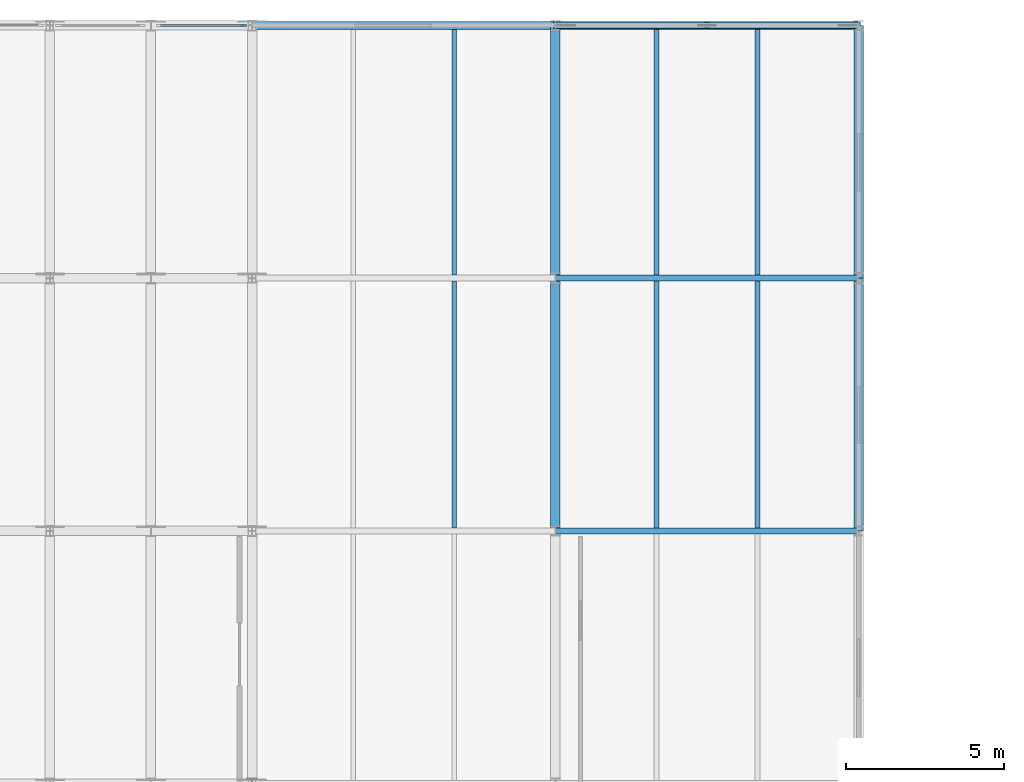
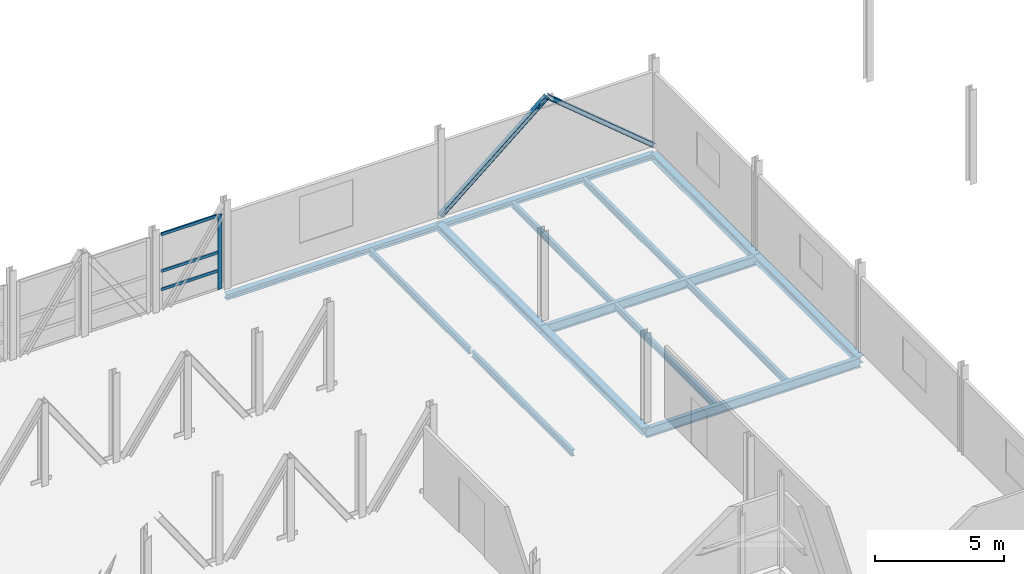
# One storey, part 43 of 73: 14 beams, 6 members, 1 element without a shape of its own.
"""IFC4 building model written with IfcOpenShell, lengths in metres."""

from ifc_helpers import new_model, si_unit, direction, frame, origin, origin_2d, place, context, subcontext, project, spatial, rectangle, i_section, extrude, material, layer, layer_set, material_profile, profile_set, type_object, element, aggregate, save


model = new_model("IFC4")

# Units and contexts
model_context = context("Model", 3, precision=1e-05, world=origin(), true_north=direction((0.0, 1.0)))
body_context = subcontext(model_context, "Body", "Model", "MODEL_VIEW")
ifc_project = project(units=[si_unit("LENGTHUNIT", "METRE"), si_unit("AREAUNIT", "SQUARE_METRE"), si_unit("VOLUMEUNIT", "CUBIC_METRE"), si_unit("PLANEANGLEUNIT", "RADIAN"), si_unit("MASSUNIT", "GRAM", prefix="KILO")], contexts=[model_context])

# Site, building, storey
site_placement = place(None, origin())
site = spatial("IfcSite", under=ifc_project, at=site_placement, CompositionType="ELEMENT")
building_placement = place(site_placement, origin())
building = spatial("IfcBuilding", under=site, at=building_placement, Name="Alderhovde Museum", CompositionType="ELEMENT")
storey_placement = place(building_placement, frame((0.0, 0.0, 12.89990234375)))
storey = spatial("IfcBuildingStorey", under=building, at=storey_placement, Name="L03", CompositionType="ELEMENT", Elevation=12.89990234375)

# Beams
ifc_material_1 = material(Name="Steel S355J2", Category="steel")
ifc_material_profile_1 = material_profile(ifc_material_1, i_section(OverallWidth=0.300048828125, OverallDepth=0.330078125, WebThickness=0.009521484375, FlangeThickness=0.0166015625, FilletRadius=0.027099609375, at=origin_2d()), Name="HEA 340")
ifc_profile_set_1 = profile_set([ifc_material_profile_1], Name="Steel S355J2")
beam_type_1 = type_object("IfcBeamType", Name="BM-HEA340", PredefinedType="BEAM", material=ifc_profile_set_1)
for number, where, z_axis, x_axis, name in (
    (1, (38.39990234375, 96.0, -0.48486328125), (0.0, 1.0, 0.0), (-1.0, 0.0, 0.0), "L03 Grid Beam X=38.4 (96.0 TO 104.0)"),
    (2, (38.39990234375, 104.0, -0.48486328125), (0.0, 1.0, 0.0), (-1.0, 0.0, 0.0), "L03 Grid Beam X=38.4 (104.0 TO 112.0)"),
    (3, (48.0, 96.0, -0.48486328125), (0.0, 1.0, 0.0), (-1.0, 0.0, 0.0), "L03 Grid Beam X=48.0 (96.0 TO 104.0)"),
    (4, (48.0, 104.0, -0.48486328125), (0.0, 1.0, 0.0), (-1.0, 0.0, 0.0), "L03 Grid Beam X=48.0 (104.0 TO 112.0)"),
):
    element("IfcBeam", number, at=place(storey_placement, frame(where, z_axis=z_axis, x_axis=x_axis)), inside=storey, type_object=beam_type_1, Name=name, PredefinedType="BEAM", context=body_context, shape_type="SweptSolid", body=[
        extrude(i_section(OverallWidth=0.300048828125, OverallDepth=0.330078125, WebThickness=0.009521484375, FlangeThickness=0.0166015625, FilletRadius=0.027099609375, at=origin_2d()), origin(), (0.0, 0.0, 1.0), 8.0),
    ])
ifc_material_2 = material(Name="Steel S355J2", Category="steel")
ifc_material_profile_2 = material_profile(ifc_material_2, i_section(OverallWidth=0.18994140625, OverallDepth=0.449951171875, WebThickness=0.009521484375, FlangeThickness=0.0146484375, FilletRadius=0.02099609375, at=origin_2d()), Name="IPE 450")
ifc_profile_set_2 = profile_set([ifc_material_profile_2], Name="Steel S355J2")
beam_type_2 = type_object("IfcBeamType", Name="BM-IPE450", PredefinedType="BEAM", material=ifc_profile_set_2)
for number, where, z_axis, x_axis, name in (
    (5, (38.39990234375, 96.0, -0.544921875), (1.0, 0.0, 0.0), (0.0, 1.0, 0.0), "L03 Grid Beam Y=96.0 (38.4 TO 48.0)"),
    (6, (38.39990234375, 104.0, -0.544921875), (1.0, 0.0, 0.0), (0.0, 1.0, 0.0), "L03 Grid Beam Y=104.0 (38.4 TO 48.0)"),
):
    element("IfcBeam", number, at=place(storey_placement, frame(where, z_axis=z_axis, x_axis=x_axis)), inside=storey, type_object=beam_type_2, Name=name, PredefinedType="BEAM", context=body_context, shape_type="SweptSolid", body=[
        extrude(i_section(OverallWidth=0.18994140625, OverallDepth=0.449951171875, WebThickness=0.009521484375, FlangeThickness=0.0146484375, FilletRadius=0.02099609375, at=origin_2d()), origin(), (0.0, 0.0, 1.0), 9.60009765625),
    ])

# Members
ifc_material_3 = material(Name="Steel S355J2", Category="steel")
ifc_material_profile_3 = material_profile(ifc_material_3, i_section(OverallWidth=0.199951171875, OverallDepth=0.18994140625, WebThickness=0.006591796875, FlangeThickness=0.010009765625, FilletRadius=0.01806640625, at=origin_2d()), Name="HEA 200")
ifc_profile_set_3 = profile_set([ifc_material_profile_3], Name="Steel S355J2")
member_type_1 = type_object("IfcMemberType", Name="BR-HEA200", PredefinedType="BRACE", material=ifc_profile_set_3)
for number, where, z_axis, x_axis, name in (
    (7, (38.39990234375, 112.0, 0.0), (0.768224482335, 0.0, 0.640180556359), (0.0, 1.0, 0.0), "L03 Chevron Brace BR-V4-N-L"),
    (8, (48.0, 112.0, 0.0), (-0.768224482335, 0.0, 0.640180556359), (0.0, -1.0, 0.0), "L03 Chevron Brace BR-V4-N-R"),
):
    element("IfcMember", number, at=place(storey_placement, frame(where, z_axis=z_axis, x_axis=x_axis)), inside=storey, type_object=member_type_1, Name=name, PredefinedType="BRACE", context=body_context, shape_type="SweptSolid", body=[
        extrude(i_section(OverallWidth=0.199951171875, OverallDepth=0.18994140625, WebThickness=0.006591796875, FlangeThickness=0.010009765625, FilletRadius=0.01806640625, at=origin_2d()), origin(), (0.0, 0.0, 1.0), 6.248291015625),
    ])

# Curtain wall, members
ifc_material_4 = material(Name="Triple-Glazed Bronze-Anodised Curtain Wall", Category="glass")
ifc_layer = layer(ifc_material_4, 0.179931640625)
ifc_layer_set = layer_set([ifc_layer], Name="Triple-Glazed Bronze-Anodised Curtain Wall")
curtain_wall_type = type_object("IfcCurtainWallType", Name="CW-UNIT-272x354", PredefinedType="USERDEFINED", material=ifc_layer_set)
curtain_wall_placement = place(storey_placement, origin())
curtain_wall = element("IfcCurtainWall", 9, at=curtain_wall_placement, inside=storey, type_object=curtain_wall_type, Name="L03 Unitised Curtain Wall 110", ObjectType="UNITISED CURTAIN WALL", PredefinedType="USERDEFINED")
ifc_material_5 = material(Name="Bronze-Anodised Aluminium EN AW-6063-T6", Category="aluminium")
ifc_material_profile_4 = material_profile(ifc_material_5, rectangle(XDim=0.06494140625, YDim=0.179931640625, at=origin_2d()), Name="MULLION 65x180")
ifc_profile_set_4 = profile_set([ifc_material_profile_4], Name="Bronze-Anodised Aluminium EN AW-6063-T6")
member_type_2 = type_object("IfcMemberType", Name="CWM-65x180", PredefinedType="MULLION", material=ifc_profile_set_4)
member_1_placement = place(storey_placement, frame((28.527587890625, 112.0, 0.0), z_axis=(0.0, 0.0, 1.0), x_axis=(0.0, 1.0, 0.0)))
member_1 = element("IfcMember", 10, at=member_1_placement, type_object=member_type_2, Name="CW26 mullion 2", PredefinedType="MULLION", context=body_context, shape_type="SweptSolid", body=[
    extrude(rectangle(XDim=0.06494140625, YDim=0.179931640625, at=origin_2d()), origin(), (0.0, 0.0, 1.0), 3.5400390625),
])
ifc_material_6 = material(Name="Bronze-Anodised Aluminium EN AW-6063-T6", Category="aluminium")
ifc_material_profile_5 = material_profile(ifc_material_6, rectangle(XDim=0.06494140625, YDim=0.139892578125, at=origin_2d()), Name="TRANSOM 65x140")
ifc_profile_set_5 = profile_set([ifc_material_profile_5], Name="Bronze-Anodised Aluminium EN AW-6063-T6")
member_type_3 = type_object("IfcMemberType", Name="CWT-65x140", PredefinedType="USERDEFINED", material=ifc_profile_set_5)
member_2_placement = place(storey_placement, frame((25.905029296875, 112.0, 0.900146484375), z_axis=(1.0, 0.0, 0.0), x_axis=(0.0, 1.0, 0.0)))
member_2 = element("IfcMember", 11, at=member_2_placement, type_object=member_type_3, Name="CW26 transom 1.2", ObjectType="TRANSOM", PredefinedType="USERDEFINED", context=body_context, shape_type="SweptSolid", body=[
    extrude(rectangle(XDim=0.06494140625, YDim=0.139892578125, at=origin_2d()), origin(), (0.0, 0.0, 1.0), 2.590087890625),
])
member_3_placement = place(storey_placement, frame((25.905029296875, 112.0, 1.77001953125), z_axis=(1.0, 0.0, 0.0), x_axis=(0.0, 1.0, 0.0)))
member_3 = element("IfcMember", 12, at=member_3_placement, type_object=member_type_3, Name="CW26 transom 1.3", ObjectType="TRANSOM", PredefinedType="USERDEFINED", context=body_context, shape_type="SweptSolid", body=[
    extrude(rectangle(XDim=0.06494140625, YDim=0.139892578125, at=origin_2d()), origin(), (0.0, 0.0, 1.0), 2.590087890625),
])
member_4_placement = place(storey_placement, frame((25.905029296875, 112.0, 3.507568359375), z_axis=(1.0, 0.0, 0.0), x_axis=(0.0, 1.0, 0.0)))
member_4 = element("IfcMember", 13, at=member_4_placement, type_object=member_type_3, Name="CW26 transom 1.4", ObjectType="TRANSOM", PredefinedType="USERDEFINED", context=body_context, shape_type="SweptSolid", body=[
    extrude(rectangle(XDim=0.06494140625, YDim=0.139892578125, at=origin_2d()), origin(), (0.0, 0.0, 1.0), 2.590087890625),
])
aggregate(curtain_wall, [member_1, member_2, member_3, member_4])

# Beams
ifc_material_7 = material(Name="Steel S355J2", Category="steel")
ifc_material_profile_6 = material_profile(ifc_material_7, i_section(OverallWidth=0.14990234375, OverallDepth=0.300048828125, WebThickness=0.007080078125, FlangeThickness=0.0107421875, FilletRadius=0.014892578125, at=origin_2d()), Name="IPE 300")
ifc_profile_set_6 = profile_set([ifc_material_profile_6], Name="Steel S355J2")
beam_type_3 = type_object("IfcBeamType", Name="JST-IPE300", PredefinedType="JOIST", material=ifc_profile_set_6)
beam_1_placement = place(storey_placement, frame((35.199951171875, 96.094970703125, -0.469970703125), z_axis=(0.0, 1.0, 0.0), x_axis=(-1.0, 0.0, 0.0)))
element("IfcBeam", 14, at=beam_1_placement, inside=storey, type_object=beam_type_3, Name="L03 Composite Joist X=35.2 (96.0 TO 104.0)", PredefinedType="JOIST", context=body_context, shape_type="SweptSolid", body=[
    extrude(i_section(OverallWidth=0.14990234375, OverallDepth=0.300048828125, WebThickness=0.007080078125, FlangeThickness=0.0107421875, FilletRadius=0.014892578125, at=origin_2d()), origin(), (0.0, 0.0, 1.0), 7.81005859375),
])
beam_2_placement = place(storey_placement, frame((35.199951171875, 104.094970703125, -0.469970703125), z_axis=(0.0, 1.0, 0.0), x_axis=(-1.0, 0.0, 0.0)))
element("IfcBeam", 15, at=beam_2_placement, inside=storey, type_object=beam_type_3, Name="L03 Composite Joist X=35.2 (104.0 TO 112.0)", PredefinedType="JOIST", context=body_context, shape_type="SweptSolid", body=[
    extrude(i_section(OverallWidth=0.14990234375, OverallDepth=0.300048828125, WebThickness=0.007080078125, FlangeThickness=0.0107421875, FilletRadius=0.014892578125, at=origin_2d()), origin(), (0.0, 0.0, 1.0), 7.775146484375),
])
for number, where, z_axis, x_axis, name in (
    (16, (41.60009765625, 96.094970703125, -0.469970703125), (0.0, 1.0, 0.0), (-1.0, 0.0, 0.0), "L03 Composite Joist X=41.6 (96.0 TO 104.0)"),
    (17, (44.800048828125, 96.094970703125, -0.469970703125), (0.0, 1.0, 0.0), (-1.0, 0.0, 0.0), "L03 Composite Joist X=44.8 (96.0 TO 104.0)"),
):
    element("IfcBeam", number, at=place(storey_placement, frame(where, z_axis=z_axis, x_axis=x_axis)), inside=storey, type_object=beam_type_3, Name=name, PredefinedType="JOIST", context=body_context, shape_type="SweptSolid", body=[
        extrude(i_section(OverallWidth=0.14990234375, OverallDepth=0.300048828125, WebThickness=0.007080078125, FlangeThickness=0.0107421875, FilletRadius=0.014892578125, at=origin_2d()), origin(), (0.0, 0.0, 1.0), 7.81005859375),
    ])
for number, where, z_axis, x_axis, name in (
    (18, (41.60009765625, 104.094970703125, -0.469970703125), (0.0, 1.0, 0.0), (-1.0, 0.0, 0.0), "L03 Composite Joist X=41.6 (104.0 TO 112.0)"),
    (19, (44.800048828125, 104.094970703125, -0.469970703125), (0.0, 1.0, 0.0), (-1.0, 0.0, 0.0), "L03 Composite Joist X=44.8 (104.0 TO 112.0)"),
):
    element("IfcBeam", number, at=place(storey_placement, frame(where, z_axis=z_axis, x_axis=x_axis)), inside=storey, type_object=beam_type_3, Name=name, PredefinedType="JOIST", context=body_context, shape_type="SweptSolid", body=[
        extrude(i_section(OverallWidth=0.14990234375, OverallDepth=0.300048828125, WebThickness=0.007080078125, FlangeThickness=0.0107421875, FilletRadius=0.014892578125, at=origin_2d()), origin(), (0.0, 0.0, 1.0), 7.775146484375),
    ])
ifc_material_8 = material(Name="Steel S355J2", Category="steel")
ifc_material_profile_7 = material_profile(ifc_material_8, i_section(OverallWidth=0.260009765625, OverallDepth=0.25, WebThickness=0.007568359375, FlangeThickness=0.012451171875, FilletRadius=0.02392578125, at=origin_2d()), Name="HEA 260")
ifc_profile_set_7 = profile_set([ifc_material_profile_7], Name="Steel S355J2")
beam_type_4 = type_object("IfcBeamType", Name="SPD-HEA260", PredefinedType="SPANDREL", material=ifc_profile_set_7)
beam_3_placement = place(storey_placement, frame((28.800048828125, 112.0, -0.44482421875), z_axis=(1.0, 0.0, 0.0), x_axis=(0.0, 1.0, 0.0)))
element("IfcBeam", 20, at=beam_3_placement, inside=storey, type_object=beam_type_4, Name="L03 Grid Beam Y=112.0 (28.8 TO 38.4)", PredefinedType="SPANDREL", context=body_context, shape_type="SweptSolid", body=[
    extrude(i_section(OverallWidth=0.260009765625, OverallDepth=0.25, WebThickness=0.007568359375, FlangeThickness=0.012451171875, FilletRadius=0.02392578125, at=origin_2d()), origin(), (0.0, 0.0, 1.0), 9.599853515625),
])
beam_4_placement = place(storey_placement, frame((38.39990234375, 112.0, -0.44482421875), z_axis=(1.0, 0.0, 0.0), x_axis=(0.0, 1.0, 0.0)))
element("IfcBeam", 21, at=beam_4_placement, inside=storey, type_object=beam_type_4, Name="L03 Grid Beam Y=112.0 (38.4 TO 48.0)", PredefinedType="SPANDREL", context=body_context, shape_type="SweptSolid", body=[
    extrude(i_section(OverallWidth=0.260009765625, OverallDepth=0.25, WebThickness=0.007568359375, FlangeThickness=0.012451171875, FilletRadius=0.02392578125, at=origin_2d()), origin(), (0.0, 0.0, 1.0), 9.60009765625),
])

save(model, "model.ifc")
